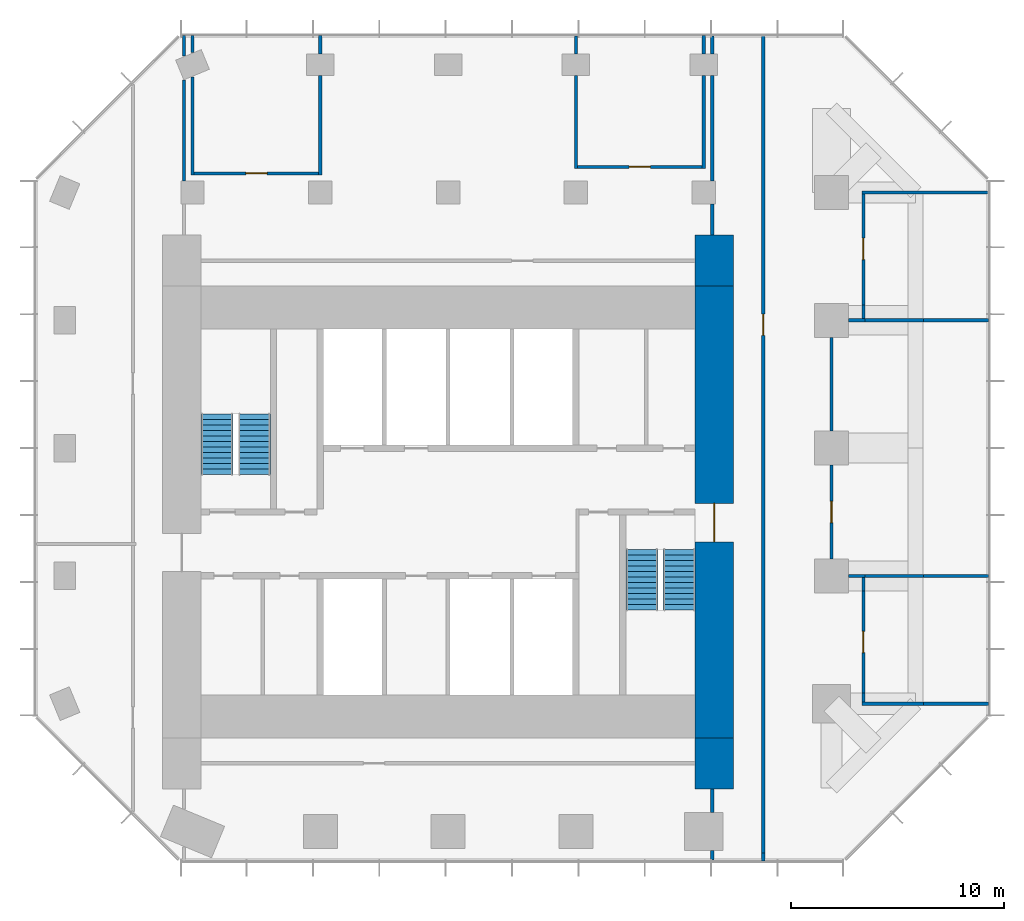
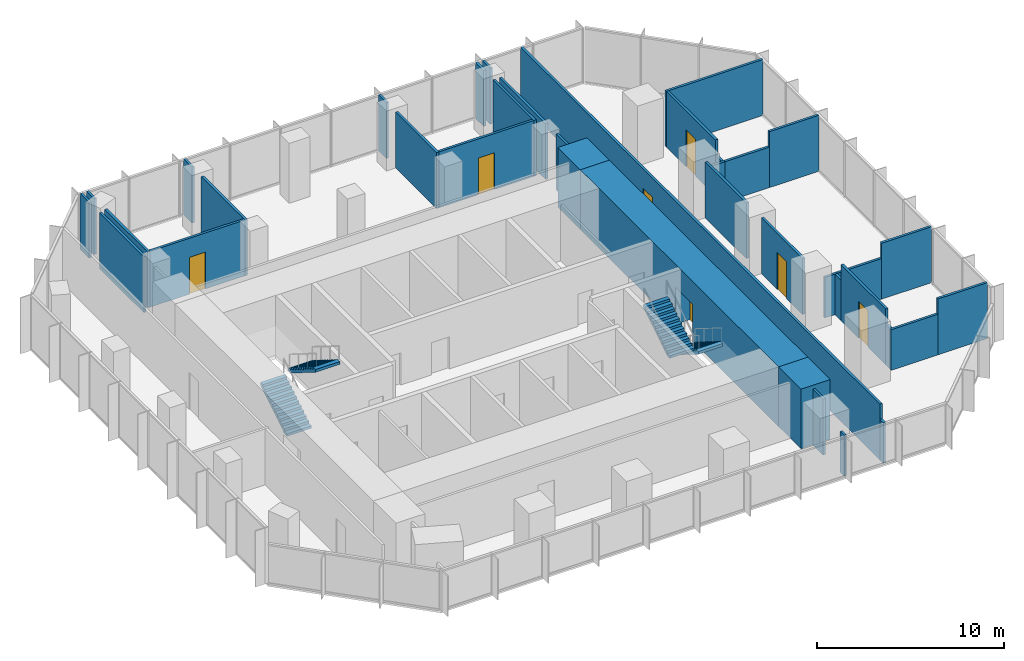
# One storey, part 9 of 10: 38 walls, 7 doors, 4 stair flights, 7 openings, 2 elements without a shape of their own.
"""IFC4 building model written with IfcOpenShell, lengths in metres."""

from ifc_helpers import new_model, si_unit, direction, frame, frame_2d, origin, place, context, subcontext, project, spatial, polyline, rectangle, outline, extrude, material, layer, layer_set, type_object, element, fill, aggregate, save


model = new_model("IFC4")

# Units and contexts
model_context = context("Model", 3, precision=1e-05, world=origin(), true_north=direction((0.0, 1.0)))
body_context = subcontext(model_context, "Body", "Model", "MODEL_VIEW")
ifc_project = project(units=[si_unit("LENGTHUNIT", "METRE"), si_unit("AREAUNIT", "SQUARE_METRE"), si_unit("VOLUMEUNIT", "CUBIC_METRE"), si_unit("PLANEANGLEUNIT", "RADIAN"), si_unit("MASSUNIT", "GRAM", prefix="KILO")], contexts=[model_context])

# Site, building, storey
site_placement = place(None, origin())
site = spatial("IfcSite", under=ifc_project, at=site_placement, CompositionType="ELEMENT")
building_placement = place(site_placement, origin())
building = spatial("IfcBuilding", under=site, at=building_placement, Name="Highveld Stack Headquarters", CompositionType="ELEMENT")
storey_placement = place(building_placement, frame((0.0, 0.0, 264.5)))
storey = spatial("IfcBuildingStorey", under=building, at=storey_placement, Name="L65", CompositionType="ELEMENT", Elevation=264.5)

# Wall, opening, door
ifc_material_1 = material(Name="Concrete C60/75", Category="concrete")
ifc_layer_1 = layer(ifc_material_1, 1.800048828125)
ifc_layer_set_1 = layer_set([ifc_layer_1], Name="Concrete C60/75")
wall_type_1 = type_object("IfcWallType", Name="CORE WALL 1800 C60/75", PredefinedType="SHEAR", material=ifc_layer_set_1)
wall_1_placement = place(storey_placement, frame((18.5, -7.60009765625, 0.0), z_axis=(0.0, 0.0, 1.0), x_axis=(0.0, 1.0, 0.0)))
wall_1 = element("IfcWall", 1, at=wall_1_placement, inside=storey, type_object=wall_type_1, Name="Core wall E L65", PredefinedType="SHEAR", context=body_context, shape_type="SweptSolid", body=[
    extrude(rectangle(XDim=21.2001953125, YDim=1.800048828125, at=frame_2d((10.60009765625, 0.0))), origin(), (0.0, 0.0, 1.0), 3.89990234375),
])
opening_1_placement = place(wall_1_placement, frame((9.199951171875, 0.0, 0.0)))
opening_1 = element("IfcOpeningElement", 2, at=opening_1_placement, cuts=wall_1, Name="Opening L65-02", PredefinedType="OPENING", context=body_context, shape_type="SweptSolid", body=[
    extrude(rectangle(XDim=1.800048828125, YDim=2.39990234375, at=frame_2d((0.89990234375, 1.199951171875))), frame((0.0, 0.909912109375, 0.0), z_axis=(0.0, -1.0, 0.0), x_axis=(1.0, 0.0, 0.0)), (0.0, 0.0, 1.0), 1.820068359375),
])
ifc_material_2 = material(Name="Steel fire door", Category="steel")
door_type_1 = type_object("IfcDoorType", Name="LOBBY FIRE DOOR D4 1800x2400", OperationType="DOUBLE_DOOR_SINGLE_SWING", PredefinedType="DOOR", material=ifc_material_2)
door_1_placement = place(opening_1_placement, origin())
door_1 = element("IfcDoor", 3, at=door_1_placement, inside=storey, type_object=door_type_1, Name="Core east door L65", OperationType="DOUBLE_DOOR_SINGLE_SWING", OverallHeight=2.39990234375, OverallWidth=1.800048828125, PredefinedType="DOOR", context=body_context, shape_type="SweptSolid", body=[
    extrude(rectangle(XDim=1.800048828125, YDim=2.39990234375, at=frame_2d((0.89990234375, 1.199951171875))), frame((0.0, 0.02490234375, 0.0), z_axis=(0.0, -1.0, 0.0), x_axis=(1.0, 0.0, 0.0)), (0.0, 0.0, 1.0), 0.050048828125),
])
fill(opening_1, door_1)

# Walls
ifc_material_3 = material(Name="Concrete C60/75", Category="concrete")
ifc_layer_2 = layer(ifc_material_3, 1.800048828125)
ifc_layer_set_2 = layer_set([ifc_layer_2], Name="Concrete C60/75")
wall_type_2 = type_object("IfcWallType", Name="CORE WING WALL 1800 C60/75", PredefinedType="SHEAR", material=ifc_layer_set_2)
for number, where, z_axis, x_axis, name in (
    (4, (18.5, -10.0, 0.0), (0.0, 0.0, 1.0), (0.0, 1.0, 0.0), "Core wing wall ES L65"),
    (5, (18.5, 13.60009765625, 0.0), (0.0, 0.0, 1.0), (0.0, 1.0, 0.0), "Core wing wall EN L65"),
):
    element("IfcWall", number, at=place(storey_placement, frame(where, z_axis=z_axis, x_axis=x_axis)), inside=storey, type_object=wall_type_2, Name=name, PredefinedType="SHEAR", context=body_context, shape_type="SweptSolid", body=[
        extrude(rectangle(XDim=2.39990234375, YDim=1.800048828125, at=frame_2d((1.199951171875, 0.0))), origin(), (0.0, 0.0, 1.0), 3.89990234375),
    ])

# Wall, opening, door
ifc_material_4 = material(Name="Laminated glass in aluminium frame", Category="aluminium")
ifc_layer_3 = layer(ifc_material_4, 0.14990234375)
ifc_layer_set_3 = layer_set([ifc_layer_3], Name="Laminated glass in aluminium frame")
wall_type_3 = type_object("IfcWallType", Name="GLAZED PARTITION 150", PredefinedType="PARTITIONING", material=ifc_layer_set_3)
wall_2_placement = place(storey_placement, frame((24.0, 0.800048828125, 0.0), z_axis=(0.0, 0.0, 1.0), x_axis=(0.0, 1.0, 0.0)))
wall_2 = element("IfcWall", 6, at=wall_2_placement, inside=storey, type_object=wall_type_3, Name="Glazed partition Executive meeting room L65", PredefinedType="PARTITIONING", context=body_context, shape_type="SweptSolid", body=[
    extrude(rectangle(XDim=4.39990234375, YDim=0.14990234375, at=frame_2d((2.199951171875, 0.0))), origin(), (0.0, 0.0, 1.0), 3.64990234375),
])
opening_2_placement = place(wall_2_placement, frame((1.699951171875, 0.0, 0.0)))
opening_2 = element("IfcOpeningElement", 7, at=opening_2_placement, cuts=wall_2, Name="Opening L65-13", PredefinedType="OPENING", context=body_context, shape_type="SweptSolid", body=[
    extrude(rectangle(XDim=1.0, YDim=2.39990234375, at=frame_2d((0.5, 1.199951171875))), frame((0.0, 0.0849609375, 0.0), z_axis=(0.0, -1.0, 0.0), x_axis=(1.0, 0.0, 0.0)), (0.0, 0.0, 1.0), 0.169921875),
])
ifc_material_5 = material(Name="Timber door, oiled ash", Category="wood")
door_type_2 = type_object("IfcDoorType", Name="ROOM DOOR D11 1000x2400", OperationType="SINGLE_SWING_LEFT", PredefinedType="DOOR", material=ifc_material_5)
door_2_placement = place(opening_2_placement, origin())
door_2 = element("IfcDoor", 8, at=door_2_placement, inside=storey, type_object=door_type_2, Name="Executive meeting room door 1 L65", OperationType="SINGLE_SWING_LEFT", OverallHeight=2.39990234375, OverallWidth=1.0, PredefinedType="DOOR", context=body_context, shape_type="SweptSolid", body=[
    extrude(rectangle(XDim=1.0, YDim=2.39990234375, at=frame_2d((0.5, 1.199951171875))), frame((0.0, 0.02490234375, 0.0), z_axis=(0.0, -1.0, 0.0), x_axis=(1.0, 0.0, 0.0)), (0.0, 0.0, 1.0), 0.050048828125),
])
fill(opening_2, door_2)

# Walls
wall_3_placement = place(storey_placement, frame((24.0, 6.800048828125, 0.0), z_axis=(0.0, 0.0, 1.0), x_axis=(0.0, 1.0, 0.0)))
element("IfcWall", 9, at=wall_3_placement, inside=storey, type_object=wall_type_3, Name="Glazed partition Executive meeting room L65", PredefinedType="PARTITIONING", context=body_context, shape_type="SweptSolid", body=[
    extrude(rectangle(XDim=4.39990234375, YDim=0.14990234375, at=frame_2d((2.199951171875, 0.0))), origin(), (0.0, 0.0, 1.0), 3.64990234375),
])
ifc_material_6 = material(Name="Gypsum plasterboard on steel studs", Category="steel")
ifc_layer_4 = layer(ifc_material_6, 0.14990234375)
ifc_layer_set_4 = layer_set([ifc_layer_4], Name="Gypsum plasterboard on steel studs")
wall_type_4 = type_object("IfcWallType", Name="PARTITION 150 PLASTERBOARD", PredefinedType="PARTITIONING", material=ifc_layer_set_4)
wall_4_placement = place(storey_placement, frame((25.425048828125, -6.0, 0.0), z_axis=(0.0, 0.0, 1.0), x_axis=(1.0, 0.0, 0.0)))
element("IfcWall", 10, at=wall_4_placement, inside=storey, type_object=wall_type_4, Name="Partition Quiet room L65", PredefinedType="PARTITIONING", context=body_context, shape_type="SweptSolid", body=[
    extrude(rectangle(XDim=2.885009765625, YDim=0.14990234375, at=frame_2d((1.4423828125, 0.0))), origin(), (0.0, 0.0, 1.0), 2.64990234375),
])
wall_5_placement = place(storey_placement, frame((28.31005859375, -6.0, 0.0), z_axis=(0.0, 0.0, 1.0), x_axis=(1.0, 0.0, 0.0)))
element("IfcWall", 11, at=wall_5_placement, inside=storey, type_object=wall_type_4, Name="Partition Quiet room L65", PredefinedType="PARTITIONING", context=body_context, shape_type="SweptSolid", body=[
    extrude(rectangle(XDim=3.06494140625, YDim=0.14990234375, at=frame_2d((1.532470703125, 0.0))), origin(), (0.0, 0.0, 1.0), 3.64990234375),
])
wall_6_placement = place(storey_placement, frame((24.800048828125, 0.0, 0.0), z_axis=(0.0, 0.0, 1.0), x_axis=(1.0, 0.0, 0.0)))
element("IfcWall", 12, at=wall_6_placement, inside=storey, type_object=wall_type_4, Name="Partition Executive meeting room L65", PredefinedType="PARTITIONING", context=body_context, shape_type="SweptSolid", body=[
    extrude(rectangle(XDim=0.77490234375, YDim=0.14990234375, at=frame_2d((0.387451171875, 0.0))), origin(), (0.0, 0.0, 1.0), 2.64990234375),
])
wall_7_placement = place(storey_placement, frame((25.5, 0.0, 0.0), z_axis=(0.0, 0.0, 1.0), x_axis=(1.0, 0.0, 0.0)))
element("IfcWall", 13, at=wall_7_placement, inside=storey, type_object=wall_type_4, Name="Partition Executive meeting room / Quiet room L65", PredefinedType="PARTITIONING", context=body_context, shape_type="SweptSolid", body=[
    extrude(rectangle(XDim=2.81005859375, YDim=0.14990234375, at=frame_2d((1.405029296875, 0.0))), origin(), (0.0, 0.0, 1.0), 2.64990234375),
])
wall_8_placement = place(storey_placement, frame((28.31005859375, 0.0, 0.0), z_axis=(0.0, 0.0, 1.0), x_axis=(1.0, 0.0, 0.0)))
element("IfcWall", 14, at=wall_8_placement, inside=storey, type_object=wall_type_4, Name="Partition Executive meeting room / Quiet room L65", PredefinedType="PARTITIONING", context=body_context, shape_type="SweptSolid", body=[
    extrude(rectangle(XDim=3.06494140625, YDim=0.14990234375, at=frame_2d((1.532470703125, 0.0))), origin(), (0.0, 0.0, 1.0), 3.64990234375),
])
wall_9_placement = place(storey_placement, frame((24.800048828125, 12.0, 0.0), z_axis=(0.0, 0.0, 1.0), x_axis=(1.0, 0.0, 0.0)))
element("IfcWall", 15, at=wall_9_placement, inside=storey, type_object=wall_type_4, Name="Partition Executive meeting room L65", PredefinedType="PARTITIONING", context=body_context, shape_type="SweptSolid", body=[
    extrude(rectangle(XDim=0.77490234375, YDim=0.14990234375, at=frame_2d((0.387451171875, 0.0))), origin(), (0.0, 0.0, 1.0), 2.64990234375),
])
wall_10_placement = place(storey_placement, frame((25.5, 12.0, 0.0), z_axis=(0.0, 0.0, 1.0), x_axis=(1.0, 0.0, 0.0)))
element("IfcWall", 16, at=wall_10_placement, inside=storey, type_object=wall_type_4, Name="Partition Executive meeting room / Quiet room L65", PredefinedType="PARTITIONING", context=body_context, shape_type="SweptSolid", body=[
    extrude(rectangle(XDim=2.81005859375, YDim=0.14990234375, at=frame_2d((1.405029296875, 0.0))), origin(), (0.0, 0.0, 1.0), 2.64990234375),
])
wall_11_placement = place(storey_placement, frame((28.31005859375, 12.0, 0.0), z_axis=(0.0, 0.0, 1.0), x_axis=(1.0, 0.0, 0.0)))
element("IfcWall", 17, at=wall_11_placement, inside=storey, type_object=wall_type_4, Name="Partition Executive meeting room / Quiet room L65", PredefinedType="PARTITIONING", context=body_context, shape_type="SweptSolid", body=[
    extrude(rectangle(XDim=3.06494140625, YDim=0.14990234375, at=frame_2d((1.532470703125, 0.0))), origin(), (0.0, 0.0, 1.0), 3.64990234375),
])
wall_12_placement = place(storey_placement, frame((25.425048828125, 18.0, 0.0), z_axis=(0.0, 0.0, 1.0), x_axis=(1.0, 0.0, 0.0)))
element("IfcWall", 18, at=wall_12_placement, inside=storey, type_object=wall_type_4, Name="Partition Quiet room L65", PredefinedType="PARTITIONING", context=body_context, shape_type="SweptSolid", body=[
    extrude(rectangle(XDim=5.949951171875, YDim=0.14990234375, at=frame_2d((2.97509765625, 0.0))), origin(), (0.0, 0.0, 1.0), 3.64990234375),
])

# Wall, opening, door
wall_13_placement = place(storey_placement, frame((-5.925048828125, 18.89990234375, 0.0), z_axis=(0.0, 0.0, 1.0), x_axis=(1.0, 0.0, 0.0)))
wall_13 = element("IfcWall", 19, at=wall_13_placement, inside=storey, type_object=wall_type_4, Name="Partition Interview room L65", PredefinedType="PARTITIONING", context=body_context, shape_type="SweptSolid", body=[
    extrude(rectangle(XDim=5.85009765625, YDim=0.14990234375, at=frame_2d((2.925048828125, 0.0))), origin(), (0.0, 0.0, 1.0), 3.64990234375),
])
opening_3_placement = place(wall_13_placement, frame((2.425048828125, 0.0, 0.0)))
opening_3 = element("IfcOpeningElement", 20, at=opening_3_placement, cuts=wall_13, Name="Opening L65-15", PredefinedType="OPENING", context=body_context, shape_type="SweptSolid", body=[
    extrude(rectangle(XDim=1.0, YDim=2.39990234375, at=frame_2d((0.5, 1.199951171875))), frame((0.0, 0.0849609375, 0.0), z_axis=(0.0, -1.0, 0.0), x_axis=(1.0, 0.0, 0.0)), (0.0, 0.0, 1.0), 0.169921875),
])
door_3_placement = place(opening_3_placement, origin())
door_3 = element("IfcDoor", 21, at=door_3_placement, inside=storey, type_object=door_type_2, Name="Interview room door 1 L65", OperationType="SINGLE_SWING_LEFT", OverallHeight=2.39990234375, OverallWidth=1.0, PredefinedType="DOOR", context=body_context, shape_type="SweptSolid", body=[
    extrude(rectangle(XDim=1.0, YDim=2.39990234375, at=frame_2d((0.5, 1.199951171875))), frame((0.0, 0.02490234375, 0.0), z_axis=(0.0, -1.0, 0.0), x_axis=(1.0, 0.0, 0.0)), (0.0, 0.0, 1.0), 0.050048828125),
])
fill(opening_3, door_3)

wall_14_placement = place(storey_placement, frame((12.074951171875, 19.199951171875, 0.0), z_axis=(0.0, 0.0, 1.0), x_axis=(1.0, 0.0, 0.0)))
wall_14 = element("IfcWall", 22, at=wall_14_placement, inside=storey, type_object=wall_type_4, Name="Partition Tea kitchen L65", PredefinedType="PARTITIONING", context=body_context, shape_type="SweptSolid", body=[
    extrude(rectangle(XDim=5.85009765625, YDim=0.14990234375, at=frame_2d((2.925048828125, 0.0))), origin(), (0.0, 0.0, 1.0), 3.64990234375),
])
opening_4_placement = place(wall_14_placement, frame((2.425048828125, 0.0, 0.0)))
opening_4 = element("IfcOpeningElement", 23, at=opening_4_placement, cuts=wall_14, Name="Opening L65-16", PredefinedType="OPENING", context=body_context, shape_type="SweptSolid", body=[
    extrude(rectangle(XDim=1.0, YDim=2.39990234375, at=frame_2d((0.5, 1.199951171875))), frame((0.0, 0.0849609375, 0.0), z_axis=(0.0, -1.0, 0.0), x_axis=(1.0, 0.0, 0.0)), (0.0, 0.0, 1.0), 0.169921875),
])
door_4_placement = place(opening_4_placement, origin())
door_4 = element("IfcDoor", 24, at=door_4_placement, inside=storey, type_object=door_type_2, Name="Tea kitchen door 1 L65", OperationType="SINGLE_SWING_RIGHT", OverallHeight=2.39990234375, OverallWidth=1.0, PredefinedType="DOOR", context=body_context, shape_type="SweptSolid", body=[
    extrude(rectangle(XDim=1.0, YDim=2.39990234375, at=frame_2d((0.5, 1.199951171875))), frame((0.0, 0.02490234375, 0.0), z_axis=(0.0, -1.0, 0.0), x_axis=(1.0, 0.0, 0.0)), (0.0, 0.0, 1.0), 0.050048828125),
])
fill(opening_4, door_4)

# Walls
wall_15_placement = place(storey_placement, frame((-6.0, 18.824951171875, 0.0), z_axis=(0.0, 0.0, 1.0), x_axis=(0.0, 1.0, 0.0)))
element("IfcWall", 25, at=wall_15_placement, inside=storey, type_object=wall_type_4, Name="Partition Interview room L65", PredefinedType="PARTITIONING", context=body_context, shape_type="SweptSolid", body=[
    extrude(rectangle(XDim=4.602783203125, YDim=0.14990234375, at=frame_2d((2.30126953125, 0.0))), origin(), (0.0, 0.0, 1.0), 3.64990234375),
])
wall_16_placement = place(storey_placement, frame((-6.0, 24.572265625, 0.0), z_axis=(0.0, 0.0, 1.0), x_axis=(0.0, 1.0, 0.0)))
element("IfcWall", 26, at=wall_16_placement, inside=storey, type_object=wall_type_4, Name="Partition Interview room L65", PredefinedType="PARTITIONING", context=body_context, shape_type="SweptSolid", body=[
    extrude(rectangle(XDim=0.802734375, YDim=0.14990234375, at=frame_2d((0.4013671875, 0.0))), origin(), (0.0, 0.0, 1.0), 3.64990234375),
])
wall_17_placement = place(storey_placement, frame((0.0, 18.824951171875, 0.0), z_axis=(0.0, 0.0, 1.0), x_axis=(0.0, 1.0, 0.0)))
element("IfcWall", 27, at=wall_17_placement, inside=storey, type_object=wall_type_4, Name="Partition Interview room L65", PredefinedType="PARTITIONING", context=body_context, shape_type="SweptSolid", body=[
    extrude(rectangle(XDim=4.675048828125, YDim=0.14990234375, at=frame_2d((2.33740234375, 0.0))), origin(), (0.0, 0.0, 1.0), 3.64990234375),
])
wall_18_placement = place(storey_placement, frame((0.0, 24.5, 0.0), z_axis=(0.0, 0.0, 1.0), x_axis=(0.0, 1.0, 0.0)))
element("IfcWall", 28, at=wall_18_placement, inside=storey, type_object=wall_type_4, Name="Partition Interview room L65", PredefinedType="PARTITIONING", context=body_context, shape_type="SweptSolid", body=[
    extrude(rectangle(XDim=0.875, YDim=0.14990234375, at=frame_2d((0.4375, 0.0))), origin(), (0.0, 0.0, 1.0), 3.64990234375),
])
wall_19_placement = place(storey_placement, frame((12.0, 19.125, 0.0), z_axis=(0.0, 0.0, 1.0), x_axis=(0.0, 1.0, 0.0)))
element("IfcWall", 29, at=wall_19_placement, inside=storey, type_object=wall_type_4, Name="Partition Tea kitchen L65", PredefinedType="PARTITIONING", context=body_context, shape_type="SweptSolid", body=[
    extrude(rectangle(XDim=4.375, YDim=0.14990234375, at=frame_2d((2.1875, 0.0))), origin(), (0.0, 0.0, 1.0), 3.64990234375),
])
wall_20_placement = place(storey_placement, frame((12.0, 24.5, 0.0), z_axis=(0.0, 0.0, 1.0), x_axis=(0.0, 1.0, 0.0)))
element("IfcWall", 30, at=wall_20_placement, inside=storey, type_object=wall_type_4, Name="Partition Tea kitchen L65", PredefinedType="PARTITIONING", context=body_context, shape_type="SweptSolid", body=[
    extrude(rectangle(XDim=0.85009765625, YDim=0.14990234375, at=frame_2d((0.425048828125, 0.0))), origin(), (0.0, 0.0, 1.0), 3.64990234375),
])
wall_21_placement = place(storey_placement, frame((18.0, 19.125, 0.0), z_axis=(0.0, 0.0, 1.0), x_axis=(0.0, 1.0, 0.0)))
element("IfcWall", 31, at=wall_21_placement, inside=storey, type_object=wall_type_4, Name="Partition Tea kitchen L65", PredefinedType="PARTITIONING", context=body_context, shape_type="SweptSolid", body=[
    extrude(rectangle(XDim=4.375, YDim=0.14990234375, at=frame_2d((2.1875, 0.0))), origin(), (0.0, 0.0, 1.0), 3.64990234375),
])
wall_22_placement = place(storey_placement, frame((18.0, 24.5, 0.0), z_axis=(0.0, 0.0, 1.0), x_axis=(0.0, 1.0, 0.0)))
element("IfcWall", 32, at=wall_22_placement, inside=storey, type_object=wall_type_4, Name="Partition Tea kitchen L65", PredefinedType="PARTITIONING", context=body_context, shape_type="SweptSolid", body=[
    extrude(rectangle(XDim=0.875, YDim=0.14990234375, at=frame_2d((0.4375, 0.0))), origin(), (0.0, 0.0, 1.0), 3.64990234375),
])
wall_23_placement = place(storey_placement, frame((25.5, -5.925048828125, 0.0), z_axis=(0.0, 0.0, 1.0), x_axis=(0.0, 1.0, 0.0)))
element("IfcWall", 33, at=wall_23_placement, inside=storey, type_object=wall_type_4, Name="Partition Quiet room L65", PredefinedType="PARTITIONING", context=body_context, shape_type="SweptSolid", body=[
    extrude(rectangle(XDim=0.43505859375, YDim=0.14990234375, at=frame_2d((0.217529296875, 0.0))), origin(), (0.0, 0.0, 1.0), 2.64990234375),
])

# Wall, opening, door
wall_24_placement = place(storey_placement, frame((25.5, -5.489990234375, 0.0), z_axis=(0.0, 0.0, 1.0), x_axis=(0.0, 1.0, 0.0)))
wall_24 = element("IfcWall", 34, at=wall_24_placement, inside=storey, type_object=wall_type_4, Name="Partition Quiet room L65", PredefinedType="PARTITIONING", context=body_context, shape_type="SweptSolid", body=[
    extrude(rectangle(XDim=4.780029296875, YDim=0.14990234375, at=frame_2d((2.39013671875, 0.0))), origin(), (0.0, 0.0, 1.0), 3.64990234375),
])
opening_5_placement = place(wall_24_placement, frame((1.889892578125, 0.0, 0.0)))
opening_5 = element("IfcOpeningElement", 35, at=opening_5_placement, cuts=wall_24, Name="Opening L65-12", PredefinedType="OPENING", context=body_context, shape_type="SweptSolid", body=[
    extrude(rectangle(XDim=1.0, YDim=2.39990234375, at=frame_2d((0.5, 1.199951171875))), frame((0.0, 0.0849609375, 0.0), z_axis=(0.0, -1.0, 0.0), x_axis=(1.0, 0.0, 0.0)), (0.0, 0.0, 1.0), 0.169921875),
])
door_5_placement = place(opening_5_placement, origin())
door_5 = element("IfcDoor", 36, at=door_5_placement, inside=storey, type_object=door_type_2, Name="Quiet room door 1 L65", OperationType="SINGLE_SWING_RIGHT", OverallHeight=2.39990234375, OverallWidth=1.0, PredefinedType="DOOR", context=body_context, shape_type="SweptSolid", body=[
    extrude(rectangle(XDim=1.0, YDim=2.39990234375, at=frame_2d((0.5, 1.199951171875))), frame((0.0, 0.02490234375, 0.0), z_axis=(0.0, -1.0, 0.0), x_axis=(1.0, 0.0, 0.0)), (0.0, 0.0, 1.0), 0.050048828125),
])
fill(opening_5, door_5)

# Walls
for number, where, z_axis, x_axis, name in (
    (37, (25.5, -0.7099609375, 0.0), (0.0, 0.0, 1.0), (0.0, 1.0, 0.0), "Partition Quiet room L65"),
    (38, (25.5, 12.074951171875, 0.0), (0.0, 0.0, 1.0), (0.0, 1.0, 0.0), "Partition Quiet room L65"),
):
    element("IfcWall", number, at=place(storey_placement, frame(where, z_axis=z_axis, x_axis=x_axis)), inside=storey, type_object=wall_type_4, Name=name, PredefinedType="PARTITIONING", context=body_context, shape_type="SweptSolid", body=[
        extrude(rectangle(XDim=0.635009765625, YDim=0.14990234375, at=frame_2d((0.3173828125, 0.0))), origin(), (0.0, 0.0, 1.0), 2.64990234375),
    ])

# Wall, opening, door
wall_25_placement = place(storey_placement, frame((25.5, 12.7099609375, 0.0), z_axis=(0.0, 0.0, 1.0), x_axis=(0.0, 1.0, 0.0)))
wall_25 = element("IfcWall", 39, at=wall_25_placement, inside=storey, type_object=wall_type_4, Name="Partition Quiet room L65", PredefinedType="PARTITIONING", context=body_context, shape_type="SweptSolid", body=[
    extrude(rectangle(XDim=5.215087890625, YDim=0.14990234375, at=frame_2d((2.607421875, 0.0))), origin(), (0.0, 0.0, 1.0), 3.64990234375),
])
opening_6_placement = place(wall_25_placement, frame((2.14501953125, 0.0, 0.0)))
opening_6 = element("IfcOpeningElement", 40, at=opening_6_placement, cuts=wall_25, Name="Opening L65-14", PredefinedType="OPENING", context=body_context, shape_type="SweptSolid", body=[
    extrude(rectangle(XDim=1.0, YDim=2.39990234375, at=frame_2d((0.5, 1.199951171875))), frame((0.0, 0.0849609375, 0.0), z_axis=(0.0, -1.0, 0.0), x_axis=(1.0, 0.0, 0.0)), (0.0, 0.0, 1.0), 0.169921875),
])
door_6_placement = place(opening_6_placement, origin())
door_6 = element("IfcDoor", 41, at=door_6_placement, inside=storey, type_object=door_type_2, Name="Quiet room door 1 L65", OperationType="SINGLE_SWING_RIGHT", OverallHeight=2.39990234375, OverallWidth=1.0, PredefinedType="DOOR", context=body_context, shape_type="SweptSolid", body=[
    extrude(rectangle(XDim=1.0, YDim=2.39990234375, at=frame_2d((0.5, 1.199951171875))), frame((0.0, 0.02490234375, 0.0), z_axis=(0.0, -1.0, 0.0), x_axis=(1.0, 0.0, 0.0)), (0.0, 0.0, 1.0), 0.050048828125),
])
fill(opening_6, door_6)

# Walls
wall_26_placement = place(storey_placement, frame((-6.39990234375, 18.550048828125, 0.0), z_axis=(0.0, 0.0, 1.0), x_axis=(0.0, 1.0, 0.0)))
element("IfcWall", 42, at=wall_26_placement, inside=storey, type_object=wall_type_4, Name="Partition office neighbourhood L65", PredefinedType="PARTITIONING", context=body_context, shape_type="SweptSolid", body=[
    extrude(rectangle(XDim=4.7392578125, YDim=0.14990234375, at=frame_2d((2.36962890625, 0.0))), origin(), (0.0, 0.0, 1.0), 3.64990234375),
])
wall_27_placement = place(storey_placement, frame((-6.39990234375, 24.406494140625, 0.0), z_axis=(0.0, 0.0, 1.0), x_axis=(0.0, 1.0, 0.0)))
element("IfcWall", 43, at=wall_27_placement, inside=storey, type_object=wall_type_4, Name="Partition office neighbourhood L65", PredefinedType="PARTITIONING", context=body_context, shape_type="SweptSolid", body=[
    extrude(rectangle(XDim=0.968505859375, YDim=0.14990234375, at=frame_2d((0.484375, 0.0))), origin(), (0.0, 0.0, 1.0), 3.64990234375),
])
wall_28_placement = place(storey_placement, frame((18.39990234375, -13.35009765625, 0.0), z_axis=(0.0, 0.0, 1.0), x_axis=(0.0, 1.0, 0.0)))
element("IfcWall", 44, at=wall_28_placement, inside=storey, type_object=wall_type_4, Name="Partition office neighbourhood L65", PredefinedType="PARTITIONING", context=body_context, shape_type="SweptSolid", body=[
    extrude(rectangle(XDim=0.4501953125, YDim=0.14990234375, at=frame_2d((0.22509765625, 0.0))), origin(), (0.0, 0.0, 1.0), 2.64990234375),
])
wall_29_placement = place(storey_placement, frame((18.39990234375, -11.10009765625, 0.0), z_axis=(0.0, 0.0, 1.0), x_axis=(0.0, 1.0, 0.0)))
element("IfcWall", 45, at=wall_29_placement, inside=storey, type_object=wall_type_4, Name="Partition office neighbourhood L65", PredefinedType="PARTITIONING", context=body_context, shape_type="SweptSolid", body=[
    extrude(rectangle(XDim=1.10009765625, YDim=0.14990234375, at=frame_2d((0.550048828125, 0.0))), origin(), (0.0, 0.0, 1.0), 3.64990234375),
])
wall_30_placement = place(storey_placement, frame((18.39990234375, 16.0, 0.0), z_axis=(0.0, 0.0, 1.0), x_axis=(0.0, 1.0, 0.0)))
element("IfcWall", 46, at=wall_30_placement, inside=storey, type_object=wall_type_4, Name="Partition office neighbourhood L65", PredefinedType="PARTITIONING", context=body_context, shape_type="SweptSolid", body=[
    extrude(rectangle(XDim=1.449951171875, YDim=0.14990234375, at=frame_2d((0.72509765625, 0.0))), origin(), (0.0, 0.0, 1.0), 3.64990234375),
])
wall_31_placement = place(storey_placement, frame((18.39990234375, 18.550048828125, 0.0), z_axis=(0.0, 0.0, 1.0), x_axis=(0.0, 1.0, 0.0)))
element("IfcWall", 47, at=wall_31_placement, inside=storey, type_object=wall_type_4, Name="Partition office neighbourhood L65", PredefinedType="PARTITIONING", context=body_context, shape_type="SweptSolid", body=[
    extrude(rectangle(XDim=4.949951171875, YDim=0.14990234375, at=frame_2d((2.47509765625, 0.0))), origin(), (0.0, 0.0, 1.0), 3.64990234375),
])
wall_32_placement = place(storey_placement, frame((18.39990234375, 24.5, 0.0), z_axis=(0.0, 0.0, 1.0), x_axis=(0.0, 1.0, 0.0)))
element("IfcWall", 48, at=wall_32_placement, inside=storey, type_object=wall_type_4, Name="Partition office neighbourhood L65", PredefinedType="PARTITIONING", context=body_context, shape_type="SweptSolid", body=[
    extrude(rectangle(XDim=0.85009765625, YDim=0.14990234375, at=frame_2d((0.425048828125, 0.0))), origin(), (0.0, 0.0, 1.0), 3.64990234375),
])
wall_33_placement = place(storey_placement, frame((20.800048828125, -13.375, 0.0), z_axis=(0.0, 0.0, 1.0), x_axis=(0.0, 1.0, 0.0)))
element("IfcWall", 49, at=wall_33_placement, inside=storey, type_object=wall_type_4, Name="Partition office neighbourhood L65", PredefinedType="PARTITIONING", context=body_context, shape_type="SweptSolid", body=[
    extrude(rectangle(XDim=0.3671875, YDim=0.14990234375, at=frame_2d((0.18359375, 0.0))), origin(), (0.0, 0.0, 1.0), 2.64990234375),
])

# Wall, opening, door
wall_34_placement = place(storey_placement, frame((20.800048828125, -13.0078125, 0.0), z_axis=(0.0, 0.0, 1.0), x_axis=(0.0, 1.0, 0.0)))
wall_34 = element("IfcWall", 50, at=wall_34_placement, inside=storey, type_object=wall_type_4, Name="Partition office neighbourhood L65", PredefinedType="PARTITIONING", context=body_context, shape_type="SweptSolid", body=[
    extrude(rectangle(XDim=38.3828125, YDim=0.14990234375, at=frame_2d((19.19140625, 0.0))), origin(), (0.0, 0.0, 1.0), 3.64990234375),
])
opening_7_placement = place(wall_34_placement, frame((24.2978515625, 0.0, 0.0)))
opening_7 = element("IfcOpeningElement", 51, at=opening_7_placement, cuts=wall_34, Name="Opening L65-19", PredefinedType="OPENING", context=body_context, shape_type="SweptSolid", body=[
    extrude(rectangle(XDim=1.0, YDim=2.39990234375, at=frame_2d((0.5, 1.199951171875))), frame((0.0, 0.0849609375, 0.0), z_axis=(0.0, -1.0, 0.0), x_axis=(1.0, 0.0, 0.0)), (0.0, 0.0, 1.0), 0.169921875),
])
door_7_placement = place(opening_7_placement, origin())
door_7 = element("IfcDoor", 52, at=door_7_placement, inside=storey, type_object=door_type_2, Name="Office neighbourhood door L65", OperationType="SINGLE_SWING_RIGHT", OverallHeight=2.39990234375, OverallWidth=1.0, PredefinedType="DOOR", context=body_context, shape_type="SweptSolid", body=[
    extrude(rectangle(XDim=1.0, YDim=2.39990234375, at=frame_2d((0.5, 1.199951171875))), frame((0.0, 0.02490234375, 0.0), z_axis=(0.0, -1.0, 0.0), x_axis=(1.0, 0.0, 0.0)), (0.0, 0.0, 1.0), 0.050048828125),
])
fill(opening_7, door_7)

# Stair, stair flights
ifc_material_7 = material(Name="Concrete C40/50, precast", Category="concrete")
stair_type_1 = type_object("IfcStairType", Name="STAIR S1 HALF TURN 1500", PredefinedType="HALF_TURN_STAIR", material=ifc_material_7)
stair_1_placement = place(storey_placement, origin())
stair_1 = element("IfcStair", 53, at=stair_1_placement, inside=storey, type_object=stair_type_1, Name="Stair S1 L65", PredefinedType="HALF_TURN_STAIR")
ifc_material_8 = material(Name="Concrete C40/50, precast", Category="concrete")
stair_flight_type = type_object("IfcStairFlightType", Name="STAIR FLIGHT 1500 PRECAST", PredefinedType="STRAIGHT", material=ifc_material_8)
stair_flight_1_placement = place(storey_placement, frame((-4.85009765625, 4.75, 0.0), z_axis=(0.0, 0.0, 1.0), x_axis=(0.0, 1.0, 0.0)))
stair_flight_1 = element("IfcStairFlight", 54, at=stair_flight_1_placement, type_object=stair_flight_type, Name="S1 flight 1", NumberOfRisers=12, NumberOfTreads=11, PredefinedType="STRAIGHT", RiserHeight=0.1625, TreadLength=0.26, context=body_context, shape_type="SweptSolid", body=[
    extrude(outline(polyline([(0.0, 0.0), (0.0, 0.16259765625), (0.260009765625, 0.16259765625), (0.260009765625, 0.324951171875), (0.52001953125, 0.324951171875), (0.52001953125, 0.487548828125), (0.780029296875, 0.487548828125), (0.780029296875, 0.64990234375), (1.0400390625, 0.64990234375), (1.0400390625, 0.8125), (1.300048828125, 0.8125), (1.300048828125, 0.97509765625), (1.56005859375, 0.97509765625), (1.56005859375, 1.137451171875), (1.820068359375, 1.137451171875), (1.820068359375, 1.300048828125), (2.080078125, 1.300048828125), (2.080078125, 1.46240234375), (2.340087890625, 1.46240234375), (2.340087890625, 1.625), (2.60009765625, 1.625), (2.60009765625, 1.78759765625), (2.860107421875, 1.78759765625), (2.860107421875, 1.949951171875), (2.860107421875, 1.61083984375), (0.28271484375, 0.0), (0.0, 0.0)])), frame((0.0, 0.75, 0.0), z_axis=(0.0, -1.0, 0.0), x_axis=(1.0, 0.0, 0.0)), (0.0, 0.0, 1.0), 1.5),
])
stair_flight_2_placement = place(storey_placement, frame((-3.10009765625, 7.610107421875, 1.949951171875), z_axis=(0.0, 0.0, 1.0), x_axis=(0.0, -1.0, 0.0)))
stair_flight_2 = element("IfcStairFlight", 55, at=stair_flight_2_placement, type_object=stair_flight_type, Name="S1 flight 2", NumberOfRisers=12, NumberOfTreads=11, PredefinedType="STRAIGHT", RiserHeight=0.1625, TreadLength=0.26, context=body_context, shape_type="SweptSolid", body=[
    extrude(outline(polyline([(0.0, 0.0), (0.0, 0.16259765625), (0.260009765625, 0.16259765625), (0.260009765625, 0.324951171875), (0.52001953125, 0.324951171875), (0.52001953125, 0.487548828125), (0.780029296875, 0.487548828125), (0.780029296875, 0.64990234375), (1.0400390625, 0.64990234375), (1.0400390625, 0.8125), (1.300048828125, 0.8125), (1.300048828125, 0.97509765625), (1.56005859375, 0.97509765625), (1.56005859375, 1.137451171875), (1.820068359375, 1.137451171875), (1.820068359375, 1.300048828125), (2.080078125, 1.300048828125), (2.080078125, 1.46240234375), (2.340087890625, 1.46240234375), (2.340087890625, 1.625), (2.60009765625, 1.625), (2.60009765625, 1.78759765625), (2.860107421875, 1.78759765625), (2.860107421875, 1.949951171875), (2.860107421875, 1.61083984375), (0.28271484375, 0.0), (0.0, 0.0)])), frame((0.0, 0.75, 0.0), z_axis=(0.0, -1.0, 0.0), x_axis=(1.0, 0.0, 0.0)), (0.0, 0.0, 1.0), 1.5),
])
aggregate(stair_1, [stair_flight_1, stair_flight_2])

ifc_material_9 = material(Name="Concrete C40/50, precast", Category="concrete")
stair_type_2 = type_object("IfcStairType", Name="STAIR S2 HALF TURN 1500", PredefinedType="HALF_TURN_STAIR", material=ifc_material_9)
stair_2_placement = place(storey_placement, origin())
stair_2 = element("IfcStair", 56, at=stair_2_placement, inside=storey, type_object=stair_type_2, Name="Stair S2 L65", PredefinedType="HALF_TURN_STAIR")
stair_flight_3_placement = place(storey_placement, frame((16.85009765625, 1.25, 0.0), z_axis=(0.0, 0.0, 1.0), x_axis=(0.0, -1.0, 0.0)))
stair_flight_3 = element("IfcStairFlight", 57, at=stair_flight_3_placement, type_object=stair_flight_type, Name="S2 flight 1", NumberOfRisers=12, NumberOfTreads=11, PredefinedType="STRAIGHT", RiserHeight=0.1625, TreadLength=0.26, context=body_context, shape_type="SweptSolid", body=[
    extrude(outline(polyline([(0.0, 0.0), (0.0, 0.16259765625), (0.260009765625, 0.16259765625), (0.260009765625, 0.324951171875), (0.52001953125, 0.324951171875), (0.52001953125, 0.487548828125), (0.780029296875, 0.487548828125), (0.780029296875, 0.64990234375), (1.0400390625, 0.64990234375), (1.0400390625, 0.8125), (1.300048828125, 0.8125), (1.300048828125, 0.97509765625), (1.56005859375, 0.97509765625), (1.56005859375, 1.137451171875), (1.820068359375, 1.137451171875), (1.820068359375, 1.300048828125), (2.080078125, 1.300048828125), (2.080078125, 1.46240234375), (2.340087890625, 1.46240234375), (2.340087890625, 1.625), (2.60009765625, 1.625), (2.60009765625, 1.78759765625), (2.860107421875, 1.78759765625), (2.860107421875, 1.949951171875), (2.860107421875, 1.61083984375), (0.28271484375, 0.0), (0.0, 0.0)])), frame((0.0, 0.75, 0.0), z_axis=(0.0, -1.0, 0.0), x_axis=(1.0, 0.0, 0.0)), (0.0, 0.0, 1.0), 1.5),
])
stair_flight_4_placement = place(storey_placement, frame((15.10009765625, -1.610107421875, 1.949951171875), z_axis=(0.0, 0.0, 1.0), x_axis=(0.0, 1.0, 0.0)))
stair_flight_4 = element("IfcStairFlight", 58, at=stair_flight_4_placement, type_object=stair_flight_type, Name="S2 flight 2", NumberOfRisers=12, NumberOfTreads=11, PredefinedType="STRAIGHT", RiserHeight=0.1625, TreadLength=0.26, context=body_context, shape_type="SweptSolid", body=[
    extrude(outline(polyline([(0.0, 0.0), (0.0, 0.16259765625), (0.260009765625, 0.16259765625), (0.260009765625, 0.324951171875), (0.52001953125, 0.324951171875), (0.52001953125, 0.487548828125), (0.780029296875, 0.487548828125), (0.780029296875, 0.64990234375), (1.0400390625, 0.64990234375), (1.0400390625, 0.8125), (1.300048828125, 0.8125), (1.300048828125, 0.97509765625), (1.56005859375, 0.97509765625), (1.56005859375, 1.137451171875), (1.820068359375, 1.137451171875), (1.820068359375, 1.300048828125), (2.080078125, 1.300048828125), (2.080078125, 1.46240234375), (2.340087890625, 1.46240234375), (2.340087890625, 1.625), (2.60009765625, 1.625), (2.60009765625, 1.78759765625), (2.860107421875, 1.78759765625), (2.860107421875, 1.949951171875), (2.860107421875, 1.61083984375), (0.28271484375, 0.0), (0.0, 0.0)])), frame((0.0, 0.75, 0.0), z_axis=(0.0, -1.0, 0.0), x_axis=(1.0, 0.0, 0.0)), (0.0, 0.0, 1.0), 1.5),
])
aggregate(stair_2, [stair_flight_3, stair_flight_4])

save(model, "model.ifc")
